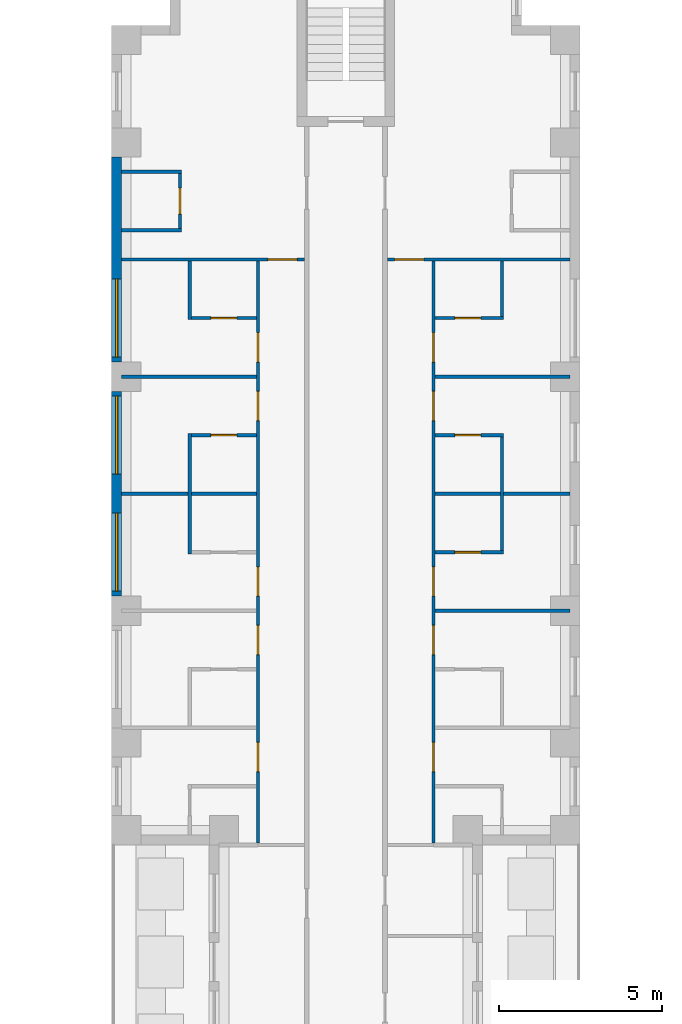
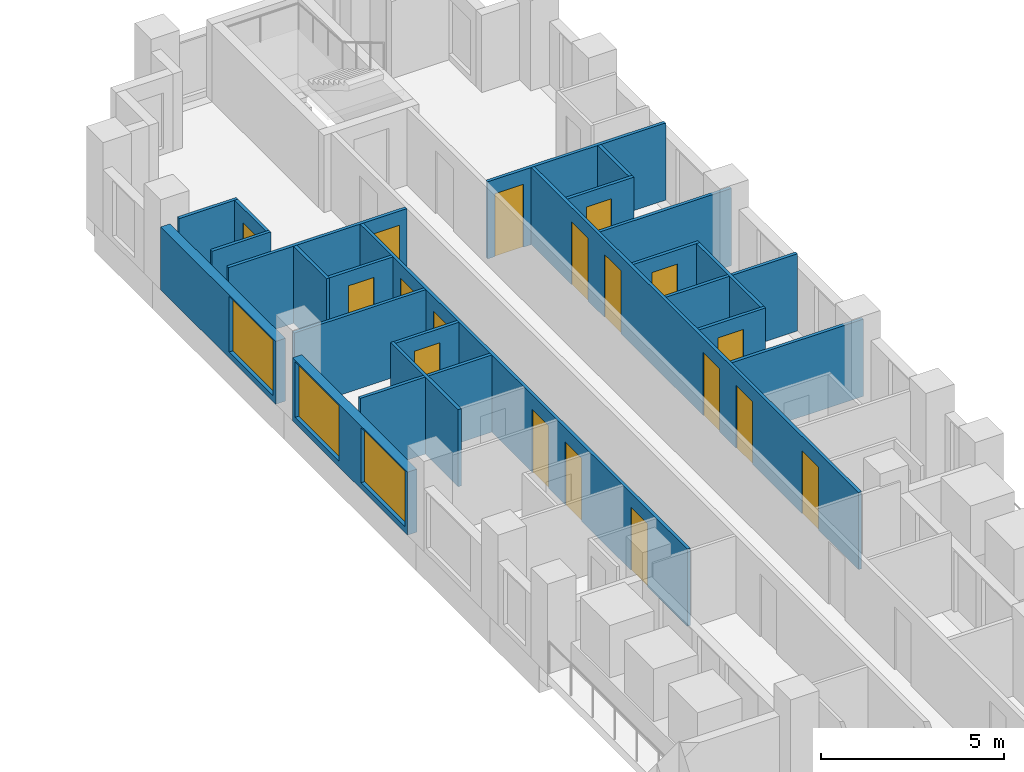
# One storey, part 11 of 15: 23 walls, 18 doors, 3 windows, 21 openings.
"""IFC4 building model written with IfcOpenShell, lengths in metres."""

from ifc_helpers import new_model, si_unit, direction, frame, frame_2d, origin, place, context, subcontext, project, spatial, rectangle, extrude, material, layer, layer_set, type_object, element, fill, save


model = new_model("IFC4")

# Units and contexts
model_context = context("Model", 3, precision=1e-05, world=origin(), true_north=direction((0.0, 1.0)))
body_context = subcontext(model_context, "Body", "Model", "MODEL_VIEW")
ifc_project = project(units=[si_unit("LENGTHUNIT", "METRE"), si_unit("AREAUNIT", "SQUARE_METRE"), si_unit("VOLUMEUNIT", "CUBIC_METRE"), si_unit("PLANEANGLEUNIT", "RADIAN"), si_unit("MASSUNIT", "GRAM", prefix="KILO")], contexts=[model_context])

# Site, building, storey
site_placement = place(None, origin())
site = spatial("IfcSite", under=ifc_project, at=site_placement, CompositionType="ELEMENT")
building_placement = place(site_placement, origin())
building = spatial("IfcBuilding", under=site, at=building_placement, Name="Fustian Cross Tower", CompositionType="ELEMENT")
storey_placement = place(building_placement, frame((0.0, 0.0, 14.699951171875)))
storey = spatial("IfcBuildingStorey", under=building, at=storey_placement, Name="L03", CompositionType="ELEMENT", Elevation=14.699951171875)

# Walls
ifc_material_1 = material(Name="Plasterboard on steel stud", Category="steel")
ifc_layer_1 = layer(ifc_material_1, 0.10009765625)
ifc_layer_set_1 = layer_set([ifc_layer_1], Name="Plasterboard on steel stud")
wall_type_1 = type_object("IfcWallType", Name="PARTITION 100 STUD", PredefinedType="PARTITIONING", material=ifc_layer_set_1)
for number, where, z_axis, x_axis, name in (
    (1, (-6.89990234375, 25.199951171875, 0.0), (0.0, 0.0, 1.0), (1.0, 0.0, 0.0), "Partition 19"),
    (2, (-6.89990234375, 28.800048828125, 0.0), (0.0, 0.0, 1.0), (1.0, 0.0, 0.0), "Partition 20"),
):
    element("IfcWall", number, at=place(storey_placement, frame(where, z_axis=z_axis, x_axis=x_axis)), inside=storey, type_object=wall_type_1, Name=name, PredefinedType="PARTITIONING", context=body_context, shape_type="SweptSolid", body=[
        extrude(rectangle(XDim=4.14990234375, YDim=0.10009765625, at=frame_2d((2.074951171875, 0.0))), origin(), (0.0, 0.0, 1.0), 2.574951171875),
    ])

# Wall, opening, door
wall_1_placement = place(storey_placement, frame((-6.89990234375, 32.39990234375, 0.0), z_axis=(0.0, 0.0, 1.0), x_axis=(1.0, 0.0, 0.0)))
wall_1 = element("IfcWall", 3, at=wall_1_placement, inside=storey, type_object=wall_type_1, Name="Partition 21", PredefinedType="PARTITIONING", context=body_context, shape_type="SweptSolid", body=[
    extrude(rectangle(XDim=5.625, YDim=0.10009765625, at=frame_2d((2.8125, 0.0))), origin(), (0.0, 0.0, 1.0), 2.574951171875),
])
opening_1_placement = place(wall_1_placement, frame((4.5, 0.0, 0.0)))
opening_1 = element("IfcOpeningElement", 4, at=opening_1_placement, cuts=wall_1, Name="Opening D04027", PredefinedType="OPENING", context=body_context, shape_type="SweptSolid", body=[
    extrude(rectangle(XDim=0.89990234375, YDim=2.10009765625, at=frame_2d((0.449951171875, 1.050048828125))), frame((0.0, 0.06005859375, 0.0), z_axis=(0.0, -1.0, 0.0), x_axis=(1.0, 0.0, 0.0)), (0.0, 0.0, 1.0), 0.1201171875),
])
ifc_material_2 = material(Name="Painted timber", Category="wood")
door_type_1 = type_object("IfcDoorType", Name="SWING DOOR 900", OperationType="SINGLE_SWING_LEFT", PredefinedType="DOOR", material=ifc_material_2)
door_1_placement = place(opening_1_placement, frame((0.89990234375, 0.0, 0.0), z_axis=(0.0, 0.0, 1.0), x_axis=(-1.0, 0.0, 0.0)))
door_1 = element("IfcDoor", 5, at=door_1_placement, inside=storey, type_object=door_type_1, Name="Door D04027", OperationType="SINGLE_SWING_RIGHT", OverallHeight=2.10009765625, OverallWidth=0.89990234375, PredefinedType="DOOR", context=body_context, shape_type="SweptSolid", body=[
    extrude(rectangle(XDim=0.89990234375, YDim=2.10009765625, at=frame_2d((0.449951171875, 1.050048828125))), frame((0.0, 0.02490234375, 0.0), z_axis=(0.0, -1.0, 0.0), x_axis=(1.0, 0.0, 0.0)), (0.0, 0.0, 1.0), 0.050048828125),
])
fill(opening_1, door_1)

# Walls
for number, where, z_axis, x_axis, name in (
    (6, (-6.89990234375, 33.300048828125, 0.0), (0.0, 0.0, 1.0), (1.0, 0.0, 0.0), "Partition 22"),
    (7, (-6.89990234375, 35.10009765625, 0.0), (0.0, 0.0, 1.0), (1.0, 0.0, 0.0), "Partition 23"),
):
    element("IfcWall", number, at=place(storey_placement, frame(where, z_axis=z_axis, x_axis=x_axis)), inside=storey, type_object=wall_type_1, Name=name, PredefinedType="PARTITIONING", context=body_context, shape_type="SweptSolid", body=[
        extrude(rectangle(XDim=1.849853515625, YDim=0.10009765625, at=frame_2d((0.9248046875, 0.0))), origin(), (0.0, 0.0, 1.0), 2.574951171875),
    ])

# Wall, opening, door
wall_2_placement = place(storey_placement, frame((-5.10009765625, 33.35009765625, 0.0), z_axis=(0.0, 0.0, 1.0), x_axis=(0.0, 1.0, 0.0)))
wall_2 = element("IfcWall", 8, at=wall_2_placement, inside=storey, type_object=wall_type_1, Name="Partition 25", PredefinedType="PARTITIONING", context=body_context, shape_type="SweptSolid", body=[
    extrude(rectangle(XDim=1.699951171875, YDim=0.10009765625, at=frame_2d((0.85009765625, 0.0))), origin(), (0.0, 0.0, 1.0), 2.574951171875),
])
opening_2_placement = place(wall_2_placement, frame((0.449951171875, 0.0, 0.0)))
opening_2 = element("IfcOpeningElement", 9, at=opening_2_placement, cuts=wall_2, Name="Opening D04020", PredefinedType="OPENING", context=body_context, shape_type="SweptSolid", body=[
    extrude(rectangle(XDim=0.800048828125, YDim=2.10009765625, at=frame_2d((0.39990234375, 1.050048828125))), frame((0.0, 0.06005859375, 0.0), z_axis=(0.0, -1.0, 0.0), x_axis=(1.0, 0.0, 0.0)), (0.0, 0.0, 1.0), 0.1201171875),
])
ifc_material_3 = material(Name="Painted timber", Category="wood")
door_type_2 = type_object("IfcDoorType", Name="SWING DOOR 800", OperationType="SINGLE_SWING_LEFT", PredefinedType="DOOR", material=ifc_material_3)
door_2_placement = place(opening_2_placement, origin())
door_2 = element("IfcDoor", 10, at=door_2_placement, inside=storey, type_object=door_type_2, Name="Door D04020", OperationType="SINGLE_SWING_RIGHT", OverallHeight=2.10009765625, OverallWidth=0.800048828125, PredefinedType="DOOR", context=body_context, shape_type="SweptSolid", body=[
    extrude(rectangle(XDim=0.800048828125, YDim=2.10009765625, at=frame_2d((0.39990234375, 1.050048828125))), frame((0.0, 0.02490234375, 0.0), z_axis=(0.0, -1.0, 0.0), x_axis=(1.0, 0.0, 0.0)), (0.0, 0.0, 1.0), 0.050048828125),
])
fill(opening_2, door_2)

# Wall
wall_3_placement = place(storey_placement, frame((-4.800048828125, 23.35009765625, 0.0), z_axis=(0.0, 0.0, 1.0), x_axis=(0.0, 1.0, 0.0)))
element("IfcWall", 11, at=wall_3_placement, inside=storey, type_object=wall_type_1, Name="Partition 39", PredefinedType="PARTITIONING", context=body_context, shape_type="SweptSolid", body=[
    extrude(rectangle(XDim=3.699951171875, YDim=0.10009765625, at=frame_2d((1.85009765625, 0.0))), origin(), (0.0, 0.0, 1.0), 2.574951171875),
])

# Wall, opening, door
wall_4_placement = place(storey_placement, frame((-4.75, 27.0, 0.0), z_axis=(0.0, 0.0, 1.0), x_axis=(1.0, 0.0, 0.0)))
wall_4 = element("IfcWall", 12, at=wall_4_placement, inside=storey, type_object=wall_type_1, Name="Partition 41", PredefinedType="PARTITIONING", context=body_context, shape_type="SweptSolid", body=[
    extrude(rectangle(XDim=2.0, YDim=0.10009765625, at=frame_2d((1.0, 0.0))), origin(), (0.0, 0.0, 1.0), 2.574951171875),
])
opening_3_placement = place(wall_4_placement, frame((0.60009765625, 0.0, 0.0)))
opening_3 = element("IfcOpeningElement", 13, at=opening_3_placement, cuts=wall_4, Name="Opening D04031", PredefinedType="OPENING", context=body_context, shape_type="SweptSolid", body=[
    extrude(rectangle(XDim=0.800048828125, YDim=2.10009765625, at=frame_2d((0.39990234375, 1.050048828125))), frame((0.0, 0.06005859375, 0.0), z_axis=(0.0, -1.0, 0.0), x_axis=(1.0, 0.0, 0.0)), (0.0, 0.0, 1.0), 0.1201171875),
])
door_3_placement = place(opening_3_placement, frame((0.800048828125, 0.0, 0.0), z_axis=(0.0, 0.0, 1.0), x_axis=(-1.0, 0.0, 0.0)))
door_3 = element("IfcDoor", 14, at=door_3_placement, inside=storey, type_object=door_type_2, Name="Door D04031", OperationType="SINGLE_SWING_RIGHT", OverallHeight=2.10009765625, OverallWidth=0.800048828125, PredefinedType="DOOR", context=body_context, shape_type="SweptSolid", body=[
    extrude(rectangle(XDim=0.800048828125, YDim=2.10009765625, at=frame_2d((0.39990234375, 1.050048828125))), frame((0.0, 0.02490234375, 0.0), z_axis=(0.0, -1.0, 0.0), x_axis=(1.0, 0.0, 0.0)), (0.0, 0.0, 1.0), 0.050048828125),
])
fill(opening_3, door_3)

# Wall
wall_5_placement = place(storey_placement, frame((-4.800048828125, 30.550048828125, 0.0), z_axis=(0.0, 0.0, 1.0), x_axis=(0.0, 1.0, 0.0)))
element("IfcWall", 15, at=wall_5_placement, inside=storey, type_object=wall_type_1, Name="Partition 42", PredefinedType="PARTITIONING", context=body_context, shape_type="SweptSolid", body=[
    extrude(rectangle(XDim=1.800048828125, YDim=0.10009765625, at=frame_2d((0.89990234375, 0.0))), origin(), (0.0, 0.0, 1.0), 2.574951171875),
])

# Wall, opening, door
wall_6_placement = place(storey_placement, frame((-4.75, 30.60009765625, 0.0), z_axis=(0.0, 0.0, 1.0), x_axis=(1.0, 0.0, 0.0)))
wall_6 = element("IfcWall", 16, at=wall_6_placement, inside=storey, type_object=wall_type_1, Name="Partition 43", PredefinedType="PARTITIONING", context=body_context, shape_type="SweptSolid", body=[
    extrude(rectangle(XDim=2.0, YDim=0.10009765625, at=frame_2d((1.0, 0.0))), origin(), (0.0, 0.0, 1.0), 2.574951171875),
])
opening_4_placement = place(wall_6_placement, frame((0.60009765625, 0.0, 0.0)))
opening_4 = element("IfcOpeningElement", 17, at=opening_4_placement, cuts=wall_6, Name="Opening D04032", PredefinedType="OPENING", context=body_context, shape_type="SweptSolid", body=[
    extrude(rectangle(XDim=0.800048828125, YDim=2.10009765625, at=frame_2d((0.39990234375, 1.050048828125))), frame((0.0, 0.06005859375, 0.0), z_axis=(0.0, -1.0, 0.0), x_axis=(1.0, 0.0, 0.0)), (0.0, 0.0, 1.0), 0.1201171875),
])
door_4_placement = place(opening_4_placement, origin())
door_4 = element("IfcDoor", 18, at=door_4_placement, inside=storey, type_object=door_type_2, Name="Door D04032", OperationType="SINGLE_SWING_LEFT", OverallHeight=2.10009765625, OverallWidth=0.800048828125, PredefinedType="DOOR", context=body_context, shape_type="SweptSolid", body=[
    extrude(rectangle(XDim=0.800048828125, YDim=2.10009765625, at=frame_2d((0.39990234375, 1.050048828125))), frame((0.0, 0.02490234375, 0.0), z_axis=(0.0, -1.0, 0.0), x_axis=(1.0, 0.0, 0.0)), (0.0, 0.0, 1.0), 0.050048828125),
])
fill(opening_4, door_4)

# Wall, openings, doors
wall_7_placement = place(storey_placement, frame((-2.699951171875, 14.46240234375, 0.0), z_axis=(0.0, 0.0, 1.0), x_axis=(0.0, 1.0, 0.0)))
wall_7 = element("IfcWall", 19, at=wall_7_placement, inside=storey, type_object=wall_type_1, Name="Partition 52", PredefinedType="PARTITIONING", context=body_context, shape_type="SweptSolid", body=[
    extrude(rectangle(XDim=17.8876953125, YDim=0.10009765625, at=frame_2d((8.94384765625, 0.0))), origin(), (0.0, 0.0, 1.0), 2.574951171875),
])
opening_5_placement = place(wall_7_placement, frame((2.1875, 0.0, 0.0)))
opening_5 = element("IfcOpeningElement", 20, at=opening_5_placement, cuts=wall_7, Name="Opening D04022", PredefinedType="OPENING", context=body_context, shape_type="SweptSolid", body=[
    extrude(rectangle(XDim=0.89990234375, YDim=2.10009765625, at=frame_2d((0.449951171875, 1.050048828125))), frame((0.0, 0.06005859375, 0.0), z_axis=(0.0, -1.0, 0.0), x_axis=(1.0, 0.0, 0.0)), (0.0, 0.0, 1.0), 0.1201171875),
])
opening_6_placement = place(wall_7_placement, frame((5.78759765625, 0.0, 0.0)))
opening_6 = element("IfcOpeningElement", 21, at=opening_6_placement, cuts=wall_7, Name="Opening D04023", PredefinedType="OPENING", context=body_context, shape_type="SweptSolid", body=[
    extrude(rectangle(XDim=0.89990234375, YDim=2.10009765625, at=frame_2d((0.449951171875, 1.050048828125))), frame((0.0, 0.06005859375, 0.0), z_axis=(0.0, -1.0, 0.0), x_axis=(1.0, 0.0, 0.0)), (0.0, 0.0, 1.0), 0.1201171875),
])
opening_7_placement = place(wall_7_placement, frame((7.58740234375, 0.0, 0.0)))
opening_7 = element("IfcOpeningElement", 22, at=opening_7_placement, cuts=wall_7, Name="Opening D04024", PredefinedType="OPENING", context=body_context, shape_type="SweptSolid", body=[
    extrude(rectangle(XDim=0.89990234375, YDim=2.10009765625, at=frame_2d((0.449951171875, 1.050048828125))), frame((0.0, 0.06005859375, 0.0), z_axis=(0.0, -1.0, 0.0), x_axis=(1.0, 0.0, 0.0)), (0.0, 0.0, 1.0), 0.1201171875),
])
opening_8_placement = place(wall_7_placement, frame((12.987548828125, 0.0, 0.0)))
opening_8 = element("IfcOpeningElement", 23, at=opening_8_placement, cuts=wall_7, Name="Opening D04025", PredefinedType="OPENING", context=body_context, shape_type="SweptSolid", body=[
    extrude(rectangle(XDim=0.89990234375, YDim=2.10009765625, at=frame_2d((0.449951171875, 1.050048828125))), frame((0.0, 0.06005859375, 0.0), z_axis=(0.0, -1.0, 0.0), x_axis=(1.0, 0.0, 0.0)), (0.0, 0.0, 1.0), 0.1201171875),
])
opening_9_placement = place(wall_7_placement, frame((14.78759765625, 0.0, 0.0)))
opening_9 = element("IfcOpeningElement", 24, at=opening_9_placement, cuts=wall_7, Name="Opening D04026", PredefinedType="OPENING", context=body_context, shape_type="SweptSolid", body=[
    extrude(rectangle(XDim=0.89990234375, YDim=2.10009765625, at=frame_2d((0.449951171875, 1.050048828125))), frame((0.0, 0.06005859375, 0.0), z_axis=(0.0, -1.0, 0.0), x_axis=(1.0, 0.0, 0.0)), (0.0, 0.0, 1.0), 0.1201171875),
])
door_5_placement = place(opening_5_placement, origin())
door_5 = element("IfcDoor", 25, at=door_5_placement, inside=storey, type_object=door_type_1, Name="Door D04022", OperationType="SINGLE_SWING_LEFT", OverallHeight=2.10009765625, OverallWidth=0.89990234375, PredefinedType="DOOR", context=body_context, shape_type="SweptSolid", body=[
    extrude(rectangle(XDim=0.89990234375, YDim=2.10009765625, at=frame_2d((0.449951171875, 1.050048828125))), frame((0.0, 0.02490234375, 0.0), z_axis=(0.0, -1.0, 0.0), x_axis=(1.0, 0.0, 0.0)), (0.0, 0.0, 1.0), 0.050048828125),
])
fill(opening_5, door_5)
door_6_placement = place(opening_6_placement, origin())
door_6 = element("IfcDoor", 26, at=door_6_placement, inside=storey, type_object=door_type_1, Name="Door D04023", OperationType="SINGLE_SWING_LEFT", OverallHeight=2.10009765625, OverallWidth=0.89990234375, PredefinedType="DOOR", context=body_context, shape_type="SweptSolid", body=[
    extrude(rectangle(XDim=0.89990234375, YDim=2.10009765625, at=frame_2d((0.449951171875, 1.050048828125))), frame((0.0, 0.02490234375, 0.0), z_axis=(0.0, -1.0, 0.0), x_axis=(1.0, 0.0, 0.0)), (0.0, 0.0, 1.0), 0.050048828125),
])
fill(opening_6, door_6)
door_7_placement = place(opening_7_placement, origin())
door_7 = element("IfcDoor", 27, at=door_7_placement, inside=storey, type_object=door_type_1, Name="Door D04024", OperationType="SINGLE_SWING_LEFT", OverallHeight=2.10009765625, OverallWidth=0.89990234375, PredefinedType="DOOR", context=body_context, shape_type="SweptSolid", body=[
    extrude(rectangle(XDim=0.89990234375, YDim=2.10009765625, at=frame_2d((0.449951171875, 1.050048828125))), frame((0.0, 0.02490234375, 0.0), z_axis=(0.0, -1.0, 0.0), x_axis=(1.0, 0.0, 0.0)), (0.0, 0.0, 1.0), 0.050048828125),
])
fill(opening_7, door_7)
door_8_placement = place(opening_8_placement, origin())
door_8 = element("IfcDoor", 28, at=door_8_placement, inside=storey, type_object=door_type_1, Name="Door D04025", OperationType="SINGLE_SWING_LEFT", OverallHeight=2.10009765625, OverallWidth=0.89990234375, PredefinedType="DOOR", context=body_context, shape_type="SweptSolid", body=[
    extrude(rectangle(XDim=0.89990234375, YDim=2.10009765625, at=frame_2d((0.449951171875, 1.050048828125))), frame((0.0, 0.02490234375, 0.0), z_axis=(0.0, -1.0, 0.0), x_axis=(1.0, 0.0, 0.0)), (0.0, 0.0, 1.0), 0.050048828125),
])
fill(opening_8, door_8)
door_9_placement = place(opening_9_placement, origin())
door_9 = element("IfcDoor", 29, at=door_9_placement, inside=storey, type_object=door_type_1, Name="Door D04026", OperationType="SINGLE_SWING_LEFT", OverallHeight=2.10009765625, OverallWidth=0.89990234375, PredefinedType="DOOR", context=body_context, shape_type="SweptSolid", body=[
    extrude(rectangle(XDim=0.89990234375, YDim=2.10009765625, at=frame_2d((0.449951171875, 1.050048828125))), frame((0.0, 0.02490234375, 0.0), z_axis=(0.0, -1.0, 0.0), x_axis=(1.0, 0.0, 0.0)), (0.0, 0.0, 1.0), 0.050048828125),
])
fill(opening_9, door_9)

# Wall, opening, door
wall_8_placement = place(storey_placement, frame((1.27490234375, 32.39990234375, 0.0), z_axis=(0.0, 0.0, 1.0), x_axis=(1.0, 0.0, 0.0)))
wall_8 = element("IfcWall", 30, at=wall_8_placement, inside=storey, type_object=wall_type_1, Name="Partition 69", PredefinedType="PARTITIONING", context=body_context, shape_type="SweptSolid", body=[
    extrude(rectangle(XDim=5.625, YDim=0.10009765625, at=frame_2d((2.8125, 0.0))), origin(), (0.0, 0.0, 1.0), 2.574951171875),
])
opening_10_placement = place(wall_8_placement, frame((0.22509765625, 0.0, 0.0)))
opening_10 = element("IfcOpeningElement", 31, at=opening_10_placement, cuts=wall_8, Name="Opening D04037", PredefinedType="OPENING", context=body_context, shape_type="SweptSolid", body=[
    extrude(rectangle(XDim=0.89990234375, YDim=2.10009765625, at=frame_2d((0.449951171875, 1.050048828125))), frame((0.0, 0.06005859375, 0.0), z_axis=(0.0, -1.0, 0.0), x_axis=(1.0, 0.0, 0.0)), (0.0, 0.0, 1.0), 0.1201171875),
])
door_10_placement = place(opening_10_placement, frame((0.89990234375, 0.0, 0.0), z_axis=(0.0, 0.0, 1.0), x_axis=(-1.0, 0.0, 0.0)))
door_10 = element("IfcDoor", 32, at=door_10_placement, inside=storey, type_object=door_type_1, Name="Door D04037", OperationType="SINGLE_SWING_RIGHT", OverallHeight=2.10009765625, OverallWidth=0.89990234375, PredefinedType="DOOR", context=body_context, shape_type="SweptSolid", body=[
    extrude(rectangle(XDim=0.89990234375, YDim=2.10009765625, at=frame_2d((0.449951171875, 1.050048828125))), frame((0.0, 0.02490234375, 0.0), z_axis=(0.0, -1.0, 0.0), x_axis=(1.0, 0.0, 0.0)), (0.0, 0.0, 1.0), 0.050048828125),
])
fill(opening_10, door_10)

# Wall, openings, doors
wall_9_placement = place(storey_placement, frame((2.699951171875, 14.46240234375, 0.0), z_axis=(0.0, 0.0, 1.0), x_axis=(0.0, 1.0, 0.0)))
wall_9 = element("IfcWall", 33, at=wall_9_placement, inside=storey, type_object=wall_type_1, Name="Partition 74", PredefinedType="PARTITIONING", context=body_context, shape_type="SweptSolid", body=[
    extrude(rectangle(XDim=17.8876953125, YDim=0.10009765625, at=frame_2d((8.94384765625, 0.0))), origin(), (0.0, 0.0, 1.0), 2.574951171875),
])
opening_11_placement = place(wall_9_placement, frame((2.1875, 0.0, 0.0)))
opening_11 = element("IfcOpeningElement", 34, at=opening_11_placement, cuts=wall_9, Name="Opening D04038", PredefinedType="OPENING", context=body_context, shape_type="SweptSolid", body=[
    extrude(rectangle(XDim=0.89990234375, YDim=2.10009765625, at=frame_2d((0.449951171875, 1.050048828125))), frame((0.0, 0.06005859375, 0.0), z_axis=(0.0, -1.0, 0.0), x_axis=(1.0, 0.0, 0.0)), (0.0, 0.0, 1.0), 0.1201171875),
])
opening_12_placement = place(wall_9_placement, frame((5.78759765625, 0.0, 0.0)))
opening_12 = element("IfcOpeningElement", 35, at=opening_12_placement, cuts=wall_9, Name="Opening D04039", PredefinedType="OPENING", context=body_context, shape_type="SweptSolid", body=[
    extrude(rectangle(XDim=0.89990234375, YDim=2.10009765625, at=frame_2d((0.449951171875, 1.050048828125))), frame((0.0, 0.06005859375, 0.0), z_axis=(0.0, -1.0, 0.0), x_axis=(1.0, 0.0, 0.0)), (0.0, 0.0, 1.0), 0.1201171875),
])
opening_13_placement = place(wall_9_placement, frame((7.58740234375, 0.0, 0.0)))
opening_13 = element("IfcOpeningElement", 36, at=opening_13_placement, cuts=wall_9, Name="Opening D04040", PredefinedType="OPENING", context=body_context, shape_type="SweptSolid", body=[
    extrude(rectangle(XDim=0.89990234375, YDim=2.10009765625, at=frame_2d((0.449951171875, 1.050048828125))), frame((0.0, 0.06005859375, 0.0), z_axis=(0.0, -1.0, 0.0), x_axis=(1.0, 0.0, 0.0)), (0.0, 0.0, 1.0), 0.1201171875),
])
opening_14_placement = place(wall_9_placement, frame((12.987548828125, 0.0, 0.0)))
opening_14 = element("IfcOpeningElement", 37, at=opening_14_placement, cuts=wall_9, Name="Opening D04041", PredefinedType="OPENING", context=body_context, shape_type="SweptSolid", body=[
    extrude(rectangle(XDim=0.89990234375, YDim=2.10009765625, at=frame_2d((0.449951171875, 1.050048828125))), frame((0.0, 0.06005859375, 0.0), z_axis=(0.0, -1.0, 0.0), x_axis=(1.0, 0.0, 0.0)), (0.0, 0.0, 1.0), 0.1201171875),
])
opening_15_placement = place(wall_9_placement, frame((14.78759765625, 0.0, 0.0)))
opening_15 = element("IfcOpeningElement", 38, at=opening_15_placement, cuts=wall_9, Name="Opening D04042", PredefinedType="OPENING", context=body_context, shape_type="SweptSolid", body=[
    extrude(rectangle(XDim=0.89990234375, YDim=2.10009765625, at=frame_2d((0.449951171875, 1.050048828125))), frame((0.0, 0.06005859375, 0.0), z_axis=(0.0, -1.0, 0.0), x_axis=(1.0, 0.0, 0.0)), (0.0, 0.0, 1.0), 0.1201171875),
])
door_11_placement = place(opening_11_placement, frame((0.89990234375, 0.0, 0.0), z_axis=(0.0, 0.0, 1.0), x_axis=(-1.0, 0.0, 0.0)))
door_11 = element("IfcDoor", 39, at=door_11_placement, inside=storey, type_object=door_type_1, Name="Door D04038", OperationType="SINGLE_SWING_RIGHT", OverallHeight=2.10009765625, OverallWidth=0.89990234375, PredefinedType="DOOR", context=body_context, shape_type="SweptSolid", body=[
    extrude(rectangle(XDim=0.89990234375, YDim=2.10009765625, at=frame_2d((0.449951171875, 1.050048828125))), frame((0.0, 0.02490234375, 0.0), z_axis=(0.0, -1.0, 0.0), x_axis=(1.0, 0.0, 0.0)), (0.0, 0.0, 1.0), 0.050048828125),
])
fill(opening_11, door_11)
door_12_placement = place(opening_12_placement, frame((0.89990234375, 0.0, 0.0), z_axis=(0.0, 0.0, 1.0), x_axis=(-1.0, 0.0, 0.0)))
door_12 = element("IfcDoor", 40, at=door_12_placement, inside=storey, type_object=door_type_1, Name="Door D04039", OperationType="SINGLE_SWING_RIGHT", OverallHeight=2.10009765625, OverallWidth=0.89990234375, PredefinedType="DOOR", context=body_context, shape_type="SweptSolid", body=[
    extrude(rectangle(XDim=0.89990234375, YDim=2.10009765625, at=frame_2d((0.449951171875, 1.050048828125))), frame((0.0, 0.02490234375, 0.0), z_axis=(0.0, -1.0, 0.0), x_axis=(1.0, 0.0, 0.0)), (0.0, 0.0, 1.0), 0.050048828125),
])
fill(opening_12, door_12)
door_13_placement = place(opening_13_placement, frame((0.89990234375, 0.0, 0.0), z_axis=(0.0, 0.0, 1.0), x_axis=(-1.0, 0.0, 0.0)))
door_13 = element("IfcDoor", 41, at=door_13_placement, inside=storey, type_object=door_type_1, Name="Door D04040", OperationType="SINGLE_SWING_RIGHT", OverallHeight=2.10009765625, OverallWidth=0.89990234375, PredefinedType="DOOR", context=body_context, shape_type="SweptSolid", body=[
    extrude(rectangle(XDim=0.89990234375, YDim=2.10009765625, at=frame_2d((0.449951171875, 1.050048828125))), frame((0.0, 0.02490234375, 0.0), z_axis=(0.0, -1.0, 0.0), x_axis=(1.0, 0.0, 0.0)), (0.0, 0.0, 1.0), 0.050048828125),
])
fill(opening_13, door_13)
door_14_placement = place(opening_14_placement, frame((0.89990234375, 0.0, 0.0), z_axis=(0.0, 0.0, 1.0), x_axis=(-1.0, 0.0, 0.0)))
door_14 = element("IfcDoor", 42, at=door_14_placement, inside=storey, type_object=door_type_1, Name="Door D04041", OperationType="SINGLE_SWING_RIGHT", OverallHeight=2.10009765625, OverallWidth=0.89990234375, PredefinedType="DOOR", context=body_context, shape_type="SweptSolid", body=[
    extrude(rectangle(XDim=0.89990234375, YDim=2.10009765625, at=frame_2d((0.449951171875, 1.050048828125))), frame((0.0, 0.02490234375, 0.0), z_axis=(0.0, -1.0, 0.0), x_axis=(1.0, 0.0, 0.0)), (0.0, 0.0, 1.0), 0.050048828125),
])
fill(opening_14, door_14)
door_15_placement = place(opening_15_placement, frame((0.89990234375, 0.0, 0.0), z_axis=(0.0, 0.0, 1.0), x_axis=(-1.0, 0.0, 0.0)))
door_15 = element("IfcDoor", 43, at=door_15_placement, inside=storey, type_object=door_type_1, Name="Door D04042", OperationType="SINGLE_SWING_RIGHT", OverallHeight=2.10009765625, OverallWidth=0.89990234375, PredefinedType="DOOR", context=body_context, shape_type="SweptSolid", body=[
    extrude(rectangle(XDim=0.89990234375, YDim=2.10009765625, at=frame_2d((0.449951171875, 1.050048828125))), frame((0.0, 0.02490234375, 0.0), z_axis=(0.0, -1.0, 0.0), x_axis=(1.0, 0.0, 0.0)), (0.0, 0.0, 1.0), 0.050048828125),
])
fill(opening_15, door_15)

# Wall
wall_10_placement = place(storey_placement, frame((2.75, 21.60009765625, 0.0), z_axis=(0.0, 0.0, 1.0), x_axis=(1.0, 0.0, 0.0)))
element("IfcWall", 44, at=wall_10_placement, inside=storey, type_object=wall_type_1, Name="Partition 79", PredefinedType="PARTITIONING", context=body_context, shape_type="SweptSolid", body=[
    extrude(rectangle(XDim=4.14990234375, YDim=0.10009765625, at=frame_2d((2.074951171875, 0.0))), origin(), (0.0, 0.0, 1.0), 2.574951171875),
])

# Wall, opening, door
wall_11_placement = place(storey_placement, frame((2.75, 23.39990234375, 0.0), z_axis=(0.0, 0.0, 1.0), x_axis=(1.0, 0.0, 0.0)))
wall_11 = element("IfcWall", 45, at=wall_11_placement, inside=storey, type_object=wall_type_1, Name="Partition 80", PredefinedType="PARTITIONING", context=body_context, shape_type="SweptSolid", body=[
    extrude(rectangle(XDim=2.10009765625, YDim=0.10009765625, at=frame_2d((1.050048828125, 0.0))), origin(), (0.0, 0.0, 1.0), 2.574951171875),
])
opening_16_placement = place(wall_11_placement, frame((0.60009765625, 0.0, 0.0)))
opening_16 = element("IfcOpeningElement", 46, at=opening_16_placement, cuts=wall_11, Name="Opening D04045", PredefinedType="OPENING", context=body_context, shape_type="SweptSolid", body=[
    extrude(rectangle(XDim=0.800048828125, YDim=2.10009765625, at=frame_2d((0.39990234375, 1.050048828125))), frame((0.0, 0.06005859375, 0.0), z_axis=(0.0, -1.0, 0.0), x_axis=(1.0, 0.0, 0.0)), (0.0, 0.0, 1.0), 0.1201171875),
])
door_16_placement = place(opening_16_placement, origin())
door_16 = element("IfcDoor", 47, at=door_16_placement, inside=storey, type_object=door_type_2, Name="Door D04045", OperationType="SINGLE_SWING_LEFT", OverallHeight=2.10009765625, OverallWidth=0.800048828125, PredefinedType="DOOR", context=body_context, shape_type="SweptSolid", body=[
    extrude(rectangle(XDim=0.800048828125, YDim=2.10009765625, at=frame_2d((0.39990234375, 1.050048828125))), frame((0.0, 0.02490234375, 0.0), z_axis=(0.0, -1.0, 0.0), x_axis=(1.0, 0.0, 0.0)), (0.0, 0.0, 1.0), 0.050048828125),
])
fill(opening_16, door_16)

# Wall
wall_12_placement = place(storey_placement, frame((2.75, 25.199951171875, 0.0), z_axis=(0.0, 0.0, 1.0), x_axis=(1.0, 0.0, 0.0)))
element("IfcWall", 48, at=wall_12_placement, inside=storey, type_object=wall_type_1, Name="Partition 81", PredefinedType="PARTITIONING", context=body_context, shape_type="SweptSolid", body=[
    extrude(rectangle(XDim=4.14990234375, YDim=0.10009765625, at=frame_2d((2.074951171875, 0.0))), origin(), (0.0, 0.0, 1.0), 2.574951171875),
])

# Wall, opening, door
wall_13_placement = place(storey_placement, frame((2.75, 27.0, 0.0), z_axis=(0.0, 0.0, 1.0), x_axis=(1.0, 0.0, 0.0)))
wall_13 = element("IfcWall", 49, at=wall_13_placement, inside=storey, type_object=wall_type_1, Name="Partition 82", PredefinedType="PARTITIONING", context=body_context, shape_type="SweptSolid", body=[
    extrude(rectangle(XDim=2.10009765625, YDim=0.10009765625, at=frame_2d((1.050048828125, 0.0))), origin(), (0.0, 0.0, 1.0), 2.574951171875),
])
opening_17_placement = place(wall_13_placement, frame((0.60009765625, 0.0, 0.0)))
opening_17 = element("IfcOpeningElement", 50, at=opening_17_placement, cuts=wall_13, Name="Opening D04046", PredefinedType="OPENING", context=body_context, shape_type="SweptSolid", body=[
    extrude(rectangle(XDim=0.800048828125, YDim=2.10009765625, at=frame_2d((0.39990234375, 1.050048828125))), frame((0.0, 0.06005859375, 0.0), z_axis=(0.0, -1.0, 0.0), x_axis=(1.0, 0.0, 0.0)), (0.0, 0.0, 1.0), 0.1201171875),
])
door_17_placement = place(opening_17_placement, frame((0.800048828125, 0.0, 0.0), z_axis=(0.0, 0.0, 1.0), x_axis=(-1.0, 0.0, 0.0)))
door_17 = element("IfcDoor", 51, at=door_17_placement, inside=storey, type_object=door_type_2, Name="Door D04046", OperationType="SINGLE_SWING_RIGHT", OverallHeight=2.10009765625, OverallWidth=0.800048828125, PredefinedType="DOOR", context=body_context, shape_type="SweptSolid", body=[
    extrude(rectangle(XDim=0.800048828125, YDim=2.10009765625, at=frame_2d((0.39990234375, 1.050048828125))), frame((0.0, 0.02490234375, 0.0), z_axis=(0.0, -1.0, 0.0), x_axis=(1.0, 0.0, 0.0)), (0.0, 0.0, 1.0), 0.050048828125),
])
fill(opening_17, door_17)

# Wall
wall_14_placement = place(storey_placement, frame((2.75, 28.800048828125, 0.0), z_axis=(0.0, 0.0, 1.0), x_axis=(1.0, 0.0, 0.0)))
element("IfcWall", 52, at=wall_14_placement, inside=storey, type_object=wall_type_1, Name="Partition 83", PredefinedType="PARTITIONING", context=body_context, shape_type="SweptSolid", body=[
    extrude(rectangle(XDim=4.14990234375, YDim=0.10009765625, at=frame_2d((2.074951171875, 0.0))), origin(), (0.0, 0.0, 1.0), 2.574951171875),
])

# Wall, opening, door
wall_15_placement = place(storey_placement, frame((2.75, 30.60009765625, 0.0), z_axis=(0.0, 0.0, 1.0), x_axis=(1.0, 0.0, 0.0)))
wall_15 = element("IfcWall", 53, at=wall_15_placement, inside=storey, type_object=wall_type_1, Name="Partition 84", PredefinedType="PARTITIONING", context=body_context, shape_type="SweptSolid", body=[
    extrude(rectangle(XDim=2.10009765625, YDim=0.10009765625, at=frame_2d((1.050048828125, 0.0))), origin(), (0.0, 0.0, 1.0), 2.574951171875),
])
opening_18_placement = place(wall_15_placement, frame((0.60009765625, 0.0, 0.0)))
opening_18 = element("IfcOpeningElement", 54, at=opening_18_placement, cuts=wall_15, Name="Opening D04047", PredefinedType="OPENING", context=body_context, shape_type="SweptSolid", body=[
    extrude(rectangle(XDim=0.800048828125, YDim=2.10009765625, at=frame_2d((0.39990234375, 1.050048828125))), frame((0.0, 0.06005859375, 0.0), z_axis=(0.0, -1.0, 0.0), x_axis=(1.0, 0.0, 0.0)), (0.0, 0.0, 1.0), 0.1201171875),
])
door_18_placement = place(opening_18_placement, origin())
door_18 = element("IfcDoor", 55, at=door_18_placement, inside=storey, type_object=door_type_2, Name="Door D04047", OperationType="SINGLE_SWING_LEFT", OverallHeight=2.10009765625, OverallWidth=0.800048828125, PredefinedType="DOOR", context=body_context, shape_type="SweptSolid", body=[
    extrude(rectangle(XDim=0.800048828125, YDim=2.10009765625, at=frame_2d((0.39990234375, 1.050048828125))), frame((0.0, 0.02490234375, 0.0), z_axis=(0.0, -1.0, 0.0), x_axis=(1.0, 0.0, 0.0)), (0.0, 0.0, 1.0), 0.050048828125),
])
fill(opening_18, door_18)

# Walls
wall_16_placement = place(storey_placement, frame((4.800048828125, 23.449951171875, 0.0), z_axis=(0.0, 0.0, 1.0), x_axis=(0.0, 1.0, 0.0)))
element("IfcWall", 56, at=wall_16_placement, inside=storey, type_object=wall_type_1, Name="Partition 90", PredefinedType="PARTITIONING", context=body_context, shape_type="SweptSolid", body=[
    extrude(rectangle(XDim=3.5, YDim=0.10009765625, at=frame_2d((1.75, 0.0))), origin(), (0.0, 0.0, 1.0), 2.574951171875),
])
wall_17_placement = place(storey_placement, frame((4.800048828125, 30.64990234375, 0.0), z_axis=(0.0, 0.0, 1.0), x_axis=(0.0, 1.0, 0.0)))
element("IfcWall", 57, at=wall_17_placement, inside=storey, type_object=wall_type_1, Name="Partition 91", PredefinedType="PARTITIONING", context=body_context, shape_type="SweptSolid", body=[
    extrude(rectangle(XDim=1.7001953125, YDim=0.10009765625, at=frame_2d((0.85009765625, 0.0))), origin(), (0.0, 0.0, 1.0), 2.574951171875),
])

# Wall, opening, window
ifc_material_4 = material(Name="Dark aluminium cladding on insulated backing wall", Category="aluminium")
ifc_layer_2 = layer(ifc_material_4, 0.300048828125)
ifc_layer_set_2 = layer_set([ifc_layer_2], Name="Dark aluminium cladding on insulated backing wall")
wall_type_2 = type_object("IfcWallType", Name="XW1 EXTERNAL WALL 300", PredefinedType="SOLIDWALL", material=ifc_layer_set_2)
wall_18_placement = place(storey_placement, frame((-7.050048828125, 35.550048828125, 0.0), z_axis=(0.0, 0.0, 1.0), x_axis=(0.0, -1.0, 0.0)))
wall_18 = element("IfcWall", 58, at=wall_18_placement, inside=storey, type_object=wall_type_2, Name="External wall", PredefinedType="SOLIDWALL", context=body_context, shape_type="SweptSolid", body=[
    extrude(rectangle(XDim=6.300048828125, YDim=0.300048828125, at=frame_2d((3.14990234375, 0.0))), origin(), (0.0, 0.0, 1.0), 2.10009765625),
])
opening_19_placement = place(wall_18_placement, frame((3.75, 0.0, 0.199951171875)))
opening_19 = element("IfcOpeningElement", 59, at=opening_19_placement, cuts=wall_18, Name="Opening WN1", PredefinedType="OPENING", context=body_context, shape_type="SweptSolid", body=[
    extrude(rectangle(XDim=2.39990234375, YDim=1.85009765625, at=frame_2d((1.199951171875, 0.925048828125))), frame((0.0, 0.159912109375, 0.0), z_axis=(0.0, -1.0, 0.0), x_axis=(1.0, 0.0, 0.0)), (0.0, 0.0, 1.0), 0.320068359375),
])
ifc_material_5 = material(Name="Dark anodised aluminium and double glazing", Category="aluminium")
window_type = type_object("IfcWindowType", Name="WN1 WINDOW 2400X1850", PartitioningType="SINGLE_PANEL", PredefinedType="WINDOW", material=ifc_material_5)
window_1_placement = place(opening_19_placement, origin())
window_1 = element("IfcWindow", 60, at=window_1_placement, inside=storey, type_object=window_type, Name="Window", OverallHeight=1.85009765625, OverallWidth=2.39990234375, PartitioningType="SINGLE_PANEL", PredefinedType="WINDOW", context=body_context, shape_type="SweptSolid", body=[
    extrude(rectangle(XDim=2.39990234375, YDim=1.85009765625, at=frame_2d((1.199951171875, 0.925048828125))), frame((0.0, 0.030029296875, 0.0), z_axis=(0.0, -1.0, 0.0), x_axis=(1.0, 0.0, 0.0)), (0.0, 0.0, 1.0), 0.06005859375),
])
fill(opening_19, window_1)

# Wall, openings, windows
wall_19_placement = place(storey_placement, frame((-7.050048828125, 28.35009765625, 0.0), z_axis=(0.0, 0.0, 1.0), x_axis=(0.0, -1.0, 0.0)))
wall_19 = element("IfcWall", 61, at=wall_19_placement, inside=storey, type_object=wall_type_2, Name="External wall", PredefinedType="SOLIDWALL", context=body_context, shape_type="SweptSolid", body=[
    extrude(rectangle(XDim=6.300048828125, YDim=0.300048828125, at=frame_2d((3.14990234375, 0.0))), origin(), (0.0, 0.0, 1.0), 2.10009765625),
])
opening_20_placement = place(wall_19_placement, frame((0.14990234375, 0.0, 0.199951171875)))
opening_20 = element("IfcOpeningElement", 62, at=opening_20_placement, cuts=wall_19, Name="Opening WN1", PredefinedType="OPENING", context=body_context, shape_type="SweptSolid", body=[
    extrude(rectangle(XDim=2.39990234375, YDim=1.85009765625, at=frame_2d((1.199951171875, 0.925048828125))), frame((0.0, 0.159912109375, 0.0), z_axis=(0.0, -1.0, 0.0), x_axis=(1.0, 0.0, 0.0)), (0.0, 0.0, 1.0), 0.320068359375),
])
opening_21_placement = place(wall_19_placement, frame((3.75, 0.0, 0.199951171875)))
opening_21 = element("IfcOpeningElement", 63, at=opening_21_placement, cuts=wall_19, Name="Opening WN1", PredefinedType="OPENING", context=body_context, shape_type="SweptSolid", body=[
    extrude(rectangle(XDim=2.39990234375, YDim=1.85009765625, at=frame_2d((1.199951171875, 0.925048828125))), frame((0.0, 0.159912109375, 0.0), z_axis=(0.0, -1.0, 0.0), x_axis=(1.0, 0.0, 0.0)), (0.0, 0.0, 1.0), 0.320068359375),
])
window_2_placement = place(opening_20_placement, origin())
window_2 = element("IfcWindow", 64, at=window_2_placement, inside=storey, type_object=window_type, Name="Window", OverallHeight=1.85009765625, OverallWidth=2.39990234375, PartitioningType="SINGLE_PANEL", PredefinedType="WINDOW", context=body_context, shape_type="SweptSolid", body=[
    extrude(rectangle(XDim=2.39990234375, YDim=1.85009765625, at=frame_2d((1.199951171875, 0.925048828125))), frame((0.0, 0.030029296875, 0.0), z_axis=(0.0, -1.0, 0.0), x_axis=(1.0, 0.0, 0.0)), (0.0, 0.0, 1.0), 0.06005859375),
])
fill(opening_20, window_2)
window_3_placement = place(opening_21_placement, origin())
window_3 = element("IfcWindow", 65, at=window_3_placement, inside=storey, type_object=window_type, Name="Window", OverallHeight=1.85009765625, OverallWidth=2.39990234375, PartitioningType="SINGLE_PANEL", PredefinedType="WINDOW", context=body_context, shape_type="SweptSolid", body=[
    extrude(rectangle(XDim=2.39990234375, YDim=1.85009765625, at=frame_2d((1.199951171875, 0.925048828125))), frame((0.0, 0.030029296875, 0.0), z_axis=(0.0, -1.0, 0.0), x_axis=(1.0, 0.0, 0.0)), (0.0, 0.0, 1.0), 0.06005859375),
])
fill(opening_21, window_3)

save(model, "model.ifc")
